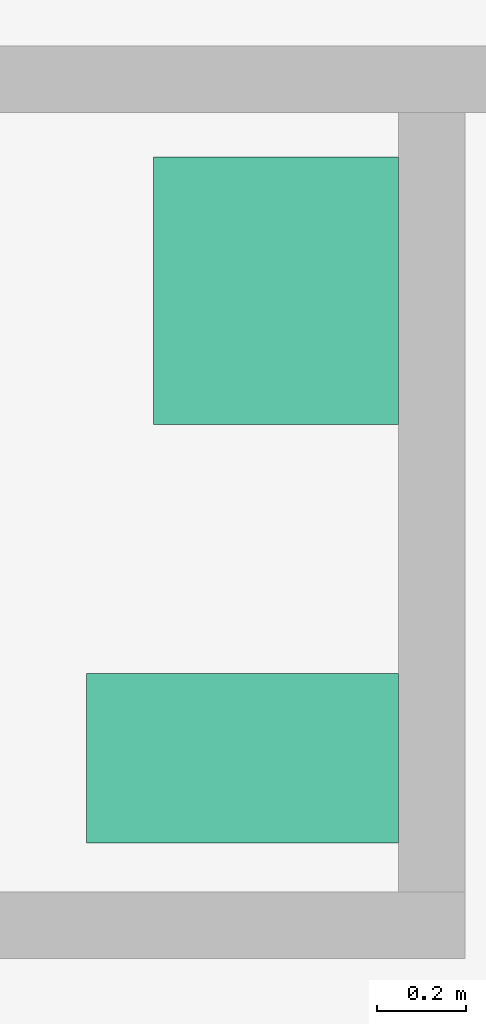
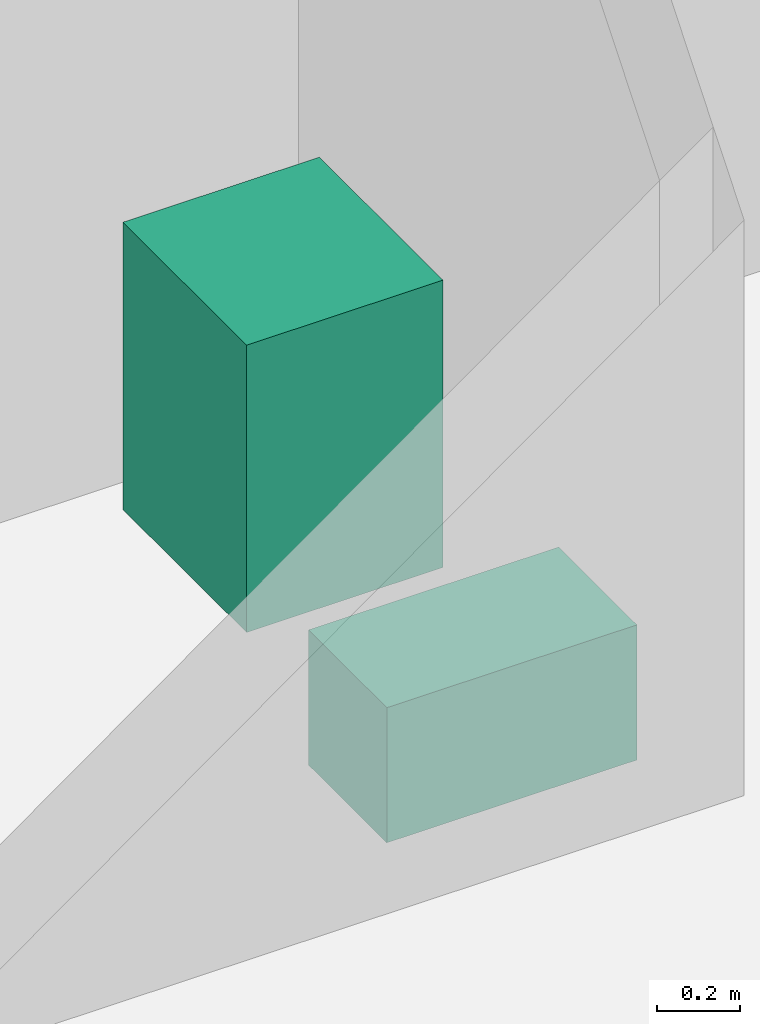
# One storey, part 14 of 14: 2 sanitary terminals.
"""IFC4 building model written with IfcOpenShell, lengths in metres."""

from ifc_helpers import new_model, si_unit, direction, frame, origin, origin_2d, place, context, subcontext, project, spatial, rectangle, extrude, material, element, save


model = new_model("IFC4")

# Units and contexts
model_context = context("Model", 3, precision=1e-05, world=origin(), true_north=direction((0.0, 1.0)))
body_context = subcontext(model_context, "Body", "Model", "MODEL_VIEW")
ifc_project = project(units=[si_unit("LENGTHUNIT", "METRE"), si_unit("AREAUNIT", "SQUARE_METRE"), si_unit("VOLUMEUNIT", "CUBIC_METRE"), si_unit("PLANEANGLEUNIT", "RADIAN"), si_unit("MASSUNIT", "GRAM", prefix="KILO")], contexts=[model_context])

# Site, building, storey
site_placement = place(None, origin())
site = spatial("IfcSite", under=ifc_project, at=site_placement, CompositionType="ELEMENT")
building_placement = place(site_placement, origin())
building = spatial("IfcBuilding", under=site, at=building_placement, Name="Kopane Lantern Tower", CompositionType="ELEMENT")
storey_placement = place(building_placement, frame((0.0, 0.0, 123.800048828125)))
storey = spatial("IfcBuildingStorey", under=building, at=storey_placement, Name="L31", CompositionType="ELEMENT", Elevation=123.800048828125)

# Sanitary terminals
ifc_material = material(Name="Vitreous china")
sanitary_terminal_1_placement = place(storey_placement, frame((34.14990234375, 27.75, 0.0), z_axis=(0.0, 0.0, 1.0), x_axis=(1.0, 0.0, 0.0)))
element("IfcSanitaryTerminal", 1, at=sanitary_terminal_1_placement, inside=storey, material=ifc_material, Name="WC pan L31", PredefinedType="TOILETPAN", context=body_context, shape_type="SweptSolid", body=[
    extrude(rectangle(XDim=0.699951171875, YDim=0.3798828125, at=origin_2d()), origin(), (0.0, 0.0, 1.0), 0.39990234375),
])
sanitary_terminal_2_placement = place(storey_placement, frame((34.22509765625, 28.800048828125, 0.0), z_axis=(0.0, 0.0, 1.0), x_axis=(1.0, 0.0, 0.0)))
element("IfcSanitaryTerminal", 2, at=sanitary_terminal_2_placement, inside=storey, material=ifc_material, Name="Wash basin L31", PredefinedType="WASHHANDBASIN", context=body_context, shape_type="SweptSolid", body=[
    extrude(rectangle(XDim=0.550048828125, YDim=0.60009765625, at=origin_2d()), origin(), (0.0, 0.0, 1.0), 0.85009765625),
])

save(model, "model.ifc")
